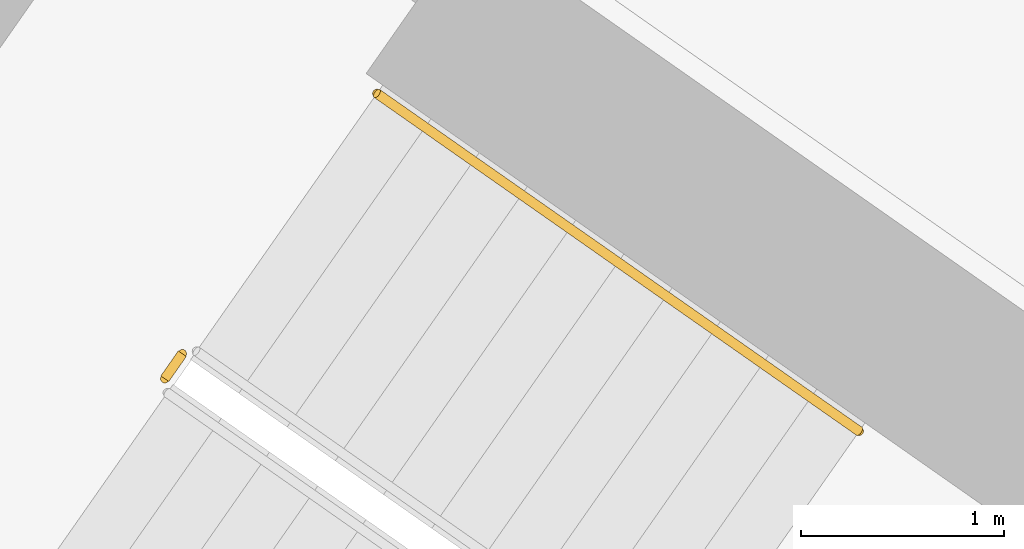
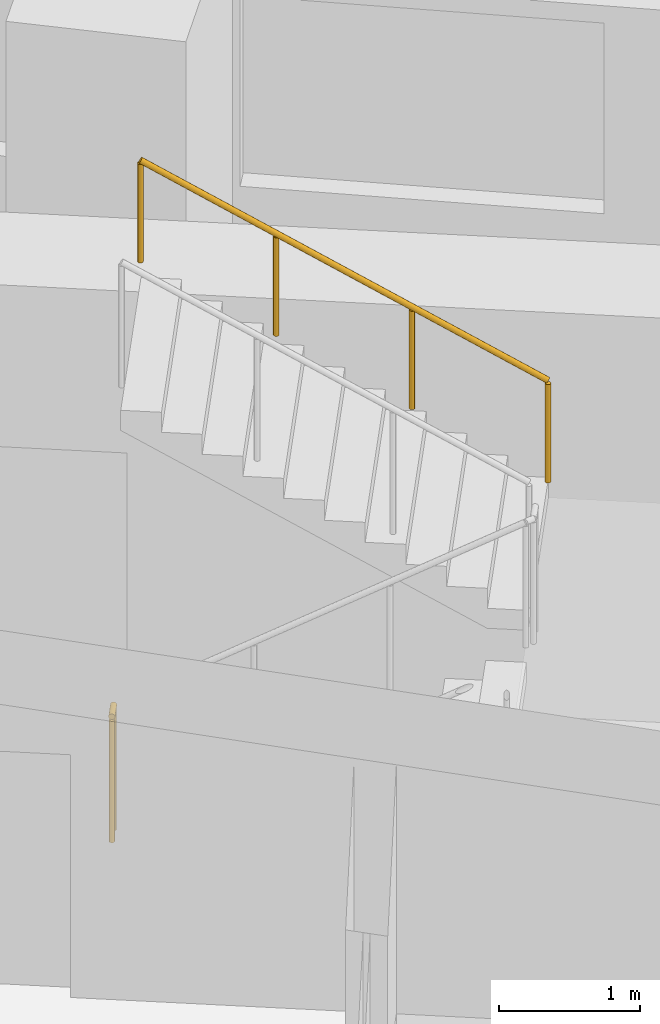
# One storey, part 28 of 32: 2 railings.
"""IFC4 building model written with IfcOpenShell, lengths in metres."""

from ifc_helpers import new_model, si_unit, direction, frame, origin, origin_2d, place, context, subcontext, project, spatial, circle, extrude, material, type_object, element, save


model = new_model("IFC4")

# Units and contexts
model_context = context("Model", 3, precision=1e-05, world=origin(), true_north=direction((0.0, 1.0)))
body_context = subcontext(model_context, "Body", "Model", "MODEL_VIEW")
ifc_project = project(units=[si_unit("LENGTHUNIT", "METRE"), si_unit("AREAUNIT", "SQUARE_METRE"), si_unit("VOLUMEUNIT", "CUBIC_METRE"), si_unit("PLANEANGLEUNIT", "RADIAN"), si_unit("MASSUNIT", "GRAM", prefix="KILO")], contexts=[model_context])

# Site, building, storey
site_placement = place(None, origin())
site = spatial("IfcSite", under=ifc_project, at=site_placement, CompositionType="ELEMENT")
building_placement = place(site_placement, origin())
building = spatial("IfcBuilding", under=site, at=building_placement, Name="Qamariyya Broadcast Tower", CompositionType="ELEMENT")
storey_placement = place(building_placement, frame((0.0, 0.0, 63.300048828125)))
storey = spatial("IfcBuildingStorey", under=building, at=storey_placement, Name="L12", CompositionType="ELEMENT", Elevation=63.300048828125)

# Railings
ifc_material_1 = material(Name="Painted steel", Category="steel")
railing_type_1 = type_object("IfcRailingType", Name="Stair guard", PredefinedType="GUARDRAIL", material=ifc_material_1)
railing_1_placement = place(storey_placement, frame((-41.158935546875, -48.455322265625, 0.0)))
element("IfcRailing", 1, at=railing_1_placement, inside=storey, type_object=railing_type_1, Name="L12 ST-W2 stair guard 3", PredefinedType="GUARDRAIL", context=body_context, shape_type="SweptSolid", body=[
    extrude(circle(Radius=0.02392578125, at=origin_2d()), frame((0.0, 0.0, 1.076171875), z_axis=(0.572588637393, 0.819842821722, 0.0), x_axis=(-0.819842821722, 0.572588637393, 0.0)), (0.0, 0.0, 1.0), 0.150146484375),
    extrude(circle(Radius=0.02099609375, at=origin_2d()), origin(), (0.0, 0.0, 1.0), 1.052001953125),
    extrude(circle(Radius=0.02099609375, at=origin_2d()), frame((0.0859375, 0.123046875, 0.0)), (0.0, 0.0, 1.0), 1.052001953125),
])
ifc_material_2 = material(Name="Stainless steel", Category="steel")
railing_type_2 = type_object("IfcRailingType", Name="Stair handrail", PredefinedType="HANDRAIL", material=ifc_material_2)
railing_2_placement = place(storey_placement, frame((-37.73876953125, -48.7138671875, 2.07275390625)))
element("IfcRailing", 2, at=railing_2_placement, inside=storey, type_object=railing_type_2, Name="L12 ST-W2 stair handrail 2", PredefinedType="HANDRAIL", context=body_context, shape_type="SweptSolid", body=[
    extrude(circle(Radius=0.02392578125, at=origin_2d()), frame((0.0, 0.0, 0.8759765625), z_axis=(-0.703745009021, 0.492838488332, 0.511715923826), x_axis=(-0.573631830683, -0.819113253969, 0.0)), (0.0, 0.0, 1.0), 3.37548828125),
    extrude(circle(Radius=0.02099609375, at=origin_2d()), origin(), (0.0, 0.0, 1.0), 0.851806640625),
    extrude(circle(Radius=0.02099609375, at=origin_2d()), frame((-0.791748046875, 0.554443359375, 0.57568359375)), (0.0, 0.0, 1.0), 0.851806640625),
    extrude(circle(Radius=0.02099609375, at=origin_2d()), frame((-1.583740234375, 1.109130859375, 1.151611328125)), (0.0, 0.0, 1.0), 0.851806640625),
    extrude(circle(Radius=0.02099609375, at=origin_2d()), frame((-2.37548828125, 1.66357421875, 1.727294921875)), (0.0, 0.0, 1.0), 0.851806640625),
])

save(model, "model.ifc")
